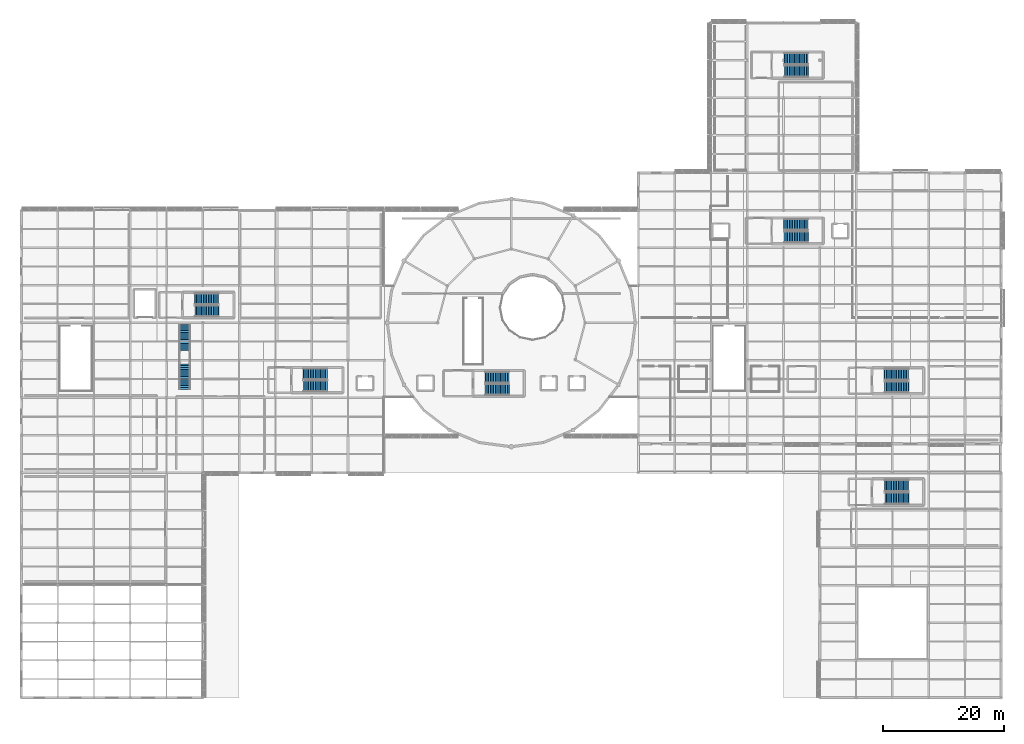
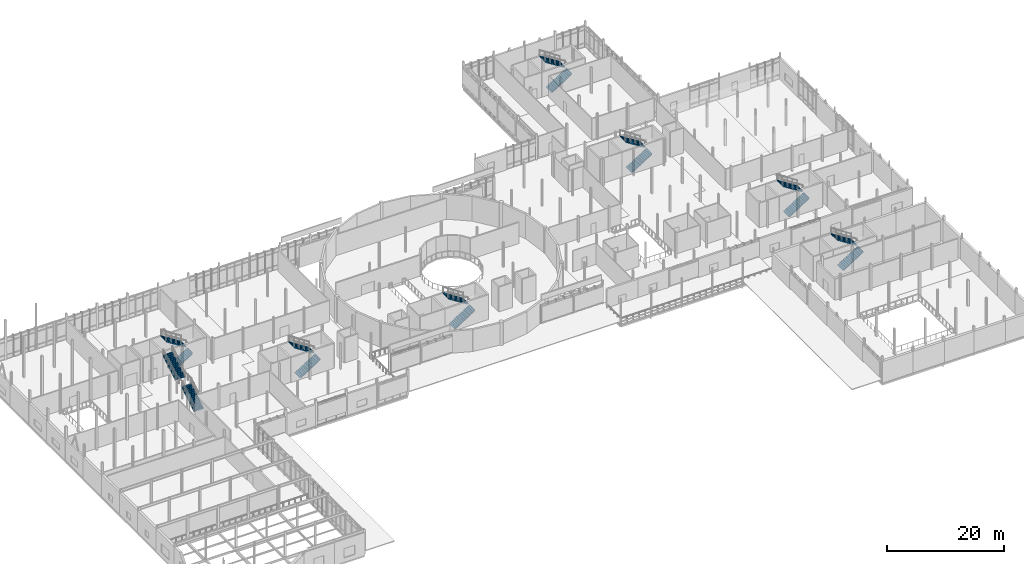
# One storey, part 73 of 105: 16 stair flights, 8 elements without a shape of their own.
"""IFC4 building model written with IfcOpenShell, lengths in metres."""

from ifc_helpers import new_model, si_unit, direction, frame, origin, place, context, subcontext, project, spatial, polyline, outline, extrude, material, type_object, element, aggregate, save


model = new_model("IFC4")

# Units and contexts
model_context = context("Model", 3, precision=1e-05, world=origin(), true_north=direction((0.0, 1.0)))
body_context = subcontext(model_context, "Body", "Model", "MODEL_VIEW")
ifc_project = project(units=[si_unit("LENGTHUNIT", "METRE"), si_unit("AREAUNIT", "SQUARE_METRE"), si_unit("VOLUMEUNIT", "CUBIC_METRE"), si_unit("PLANEANGLEUNIT", "RADIAN"), si_unit("MASSUNIT", "GRAM", prefix="KILO")], contexts=[model_context])

# Site, building, storey
site_placement = place(None, origin())
site = spatial("IfcSite", under=ifc_project, at=site_placement, CompositionType="ELEMENT")
building_placement = place(site_placement, origin())
building = spatial("IfcBuilding", under=site, at=building_placement, Name="Mirzam Square Science Centre", CompositionType="ELEMENT")
storey_placement = place(building_placement, frame((0.0, 0.0, 5.39990234375)))
storey = spatial("IfcBuildingStorey", under=building, at=storey_placement, Name="L01", CompositionType="ELEMENT", Elevation=5.39990234375)

# Stair, stair flights
ifc_material_1 = material(Name="Concrete C40/50", Category="concrete")
stair_type_1 = type_object("IfcStairType", Name="ST-CORE-1-540", PredefinedType="HALF_TURN_STAIR", material=ifc_material_1)
stair_1_placement = place(storey_placement, origin())
stair_1 = element("IfcStair", 1, at=stair_1_placement, inside=storey, type_object=stair_type_1, Name="L01 ST-01", PredefinedType="HALF_TURN_STAIR")
stair_flight_type_1 = type_object("IfcStairFlightType", Name="STF-CORE-1-30R", PredefinedType="STRAIGHT", material=ifc_material_1)
stair_flight_1_placement = place(storey_placement, frame((46.64990234375, 51.52490234375, 0.0), z_axis=(0.0, 0.0, 1.0), x_axis=(1.0, 0.0, 0.0)))
stair_flight_1 = element("IfcStairFlight", 2, at=stair_flight_1_placement, type_object=stair_flight_type_1, Name="ST-01 flight 1", NumberOfRisers=15, NumberOfTreads=14, PredefinedType="STRAIGHT", RiserHeight=0.18, TreadLength=0.28, context=body_context, shape_type="SweptSolid", body=[
    extrude(outline(polyline([(0.0, 0.0), (0.0, 0.179931640625), (0.280029296875, 0.179931640625), (0.280029296875, 0.360107421875), (0.56005859375, 0.360107421875), (0.56005859375, 0.5400390625), (0.840087890625, 0.5400390625), (0.840087890625, 0.719970703125), (1.1201171875, 0.719970703125), (1.1201171875, 0.89990234375), (1.39990234375, 0.89990234375), (1.39990234375, 1.080078125), (1.679931640625, 1.080078125), (1.679931640625, 1.260009765625), (1.9599609375, 1.260009765625), (1.9599609375, 1.43994140625), (2.239990234375, 1.43994140625), (2.239990234375, 1.6201171875), (2.52001953125, 1.6201171875), (2.52001953125, 1.800048828125), (2.800048828125, 1.800048828125), (2.800048828125, 1.97998046875), (3.080078125, 1.97998046875), (3.080078125, 2.159912109375), (3.360107421875, 2.159912109375), (3.360107421875, 2.340087890625), (3.639892578125, 2.340087890625), (3.639892578125, 2.52001953125), (3.919921875, 2.52001953125), (3.919921875, 2.699951171875), (4.0, 2.699951171875), (4.0, 2.550048828125), (3.919921875, 2.341796875), (0.277099609375, 0.0), (0.0, 0.0)])), frame((0.0, 0.925048828125, 0.0), z_axis=(0.0, -1.0, 0.0), x_axis=(1.0, 0.0, 0.0)), (0.0, 0.0, 1.0), 1.85009765625),
])
stair_flight_2_placement = place(storey_placement, frame((50.570068359375, 53.52490234375, 2.7001953125), z_axis=(0.0, 0.0, 1.0), x_axis=(-1.0, 0.0, 0.0)))
stair_flight_2 = element("IfcStairFlight", 3, at=stair_flight_2_placement, type_object=stair_flight_type_1, Name="ST-01 flight 2", NumberOfRisers=15, NumberOfTreads=14, PredefinedType="STRAIGHT", RiserHeight=0.18, TreadLength=0.28, context=body_context, shape_type="SweptSolid", body=[
    extrude(outline(polyline([(0.0, 0.0), (0.0, 0.179931640625), (0.280029296875, 0.179931640625), (0.280029296875, 0.360107421875), (0.56005859375, 0.360107421875), (0.56005859375, 0.5400390625), (0.840087890625, 0.5400390625), (0.840087890625, 0.719970703125), (1.1201171875, 0.719970703125), (1.1201171875, 0.89990234375), (1.39990234375, 0.89990234375), (1.39990234375, 1.080078125), (1.679931640625, 1.080078125), (1.679931640625, 1.260009765625), (1.9599609375, 1.260009765625), (1.9599609375, 1.43994140625), (2.239990234375, 1.43994140625), (2.239990234375, 1.6201171875), (2.52001953125, 1.6201171875), (2.52001953125, 1.800048828125), (2.800048828125, 1.800048828125), (2.800048828125, 1.97998046875), (3.080078125, 1.97998046875), (3.080078125, 2.159912109375), (3.360107421875, 2.159912109375), (3.360107421875, 2.340087890625), (3.639892578125, 2.340087890625), (3.639892578125, 2.52001953125), (3.919921875, 2.52001953125), (3.919921875, 2.699951171875), (4.0, 2.699951171875), (4.0, 2.550048828125), (3.919921875, 2.341796875), (0.277099609375, 0.0), (0.0, 0.0)])), frame((0.0, 0.925048828125, 0.0), z_axis=(0.0, -1.0, 0.0), x_axis=(1.0, 0.0, 0.0)), (0.0, 0.0, 1.0), 1.85009765625),
])
aggregate(stair_1, [stair_flight_1, stair_flight_2])

stair_type_2 = type_object("IfcStairType", Name="ST-CORE-2-540", PredefinedType="HALF_TURN_STAIR", material=ifc_material_1)
stair_2_placement = place(storey_placement, origin())
stair_2 = element("IfcStair", 4, at=stair_2_placement, inside=storey, type_object=stair_type_2, Name="L01 ST-02", PredefinedType="HALF_TURN_STAIR")
stair_flight_type_2 = type_object("IfcStairFlightType", Name="STF-CORE-2-30R", PredefinedType="STRAIGHT", material=ifc_material_1)
stair_flight_3_placement = place(storey_placement, frame((28.669921875, 63.93505859375, 0.0), z_axis=(0.0, 0.0, 1.0), x_axis=(1.0, 0.0, 0.0)))
stair_flight_3 = element("IfcStairFlight", 5, at=stair_flight_3_placement, type_object=stair_flight_type_2, Name="ST-02 flight 1", NumberOfRisers=15, NumberOfTreads=14, PredefinedType="STRAIGHT", RiserHeight=0.18, TreadLength=0.28, context=body_context, shape_type="SweptSolid", body=[
    extrude(outline(polyline([(0.0, 0.0), (0.0, 0.179931640625), (0.280029296875, 0.179931640625), (0.280029296875, 0.360107421875), (0.56005859375, 0.360107421875), (0.56005859375, 0.5400390625), (0.840087890625, 0.5400390625), (0.840087890625, 0.719970703125), (1.1201171875, 0.719970703125), (1.1201171875, 0.89990234375), (1.39990234375, 0.89990234375), (1.39990234375, 1.080078125), (1.679931640625, 1.080078125), (1.679931640625, 1.260009765625), (1.9599609375, 1.260009765625), (1.9599609375, 1.43994140625), (2.239990234375, 1.43994140625), (2.239990234375, 1.6201171875), (2.52001953125, 1.6201171875), (2.52001953125, 1.800048828125), (2.800048828125, 1.800048828125), (2.800048828125, 1.97998046875), (3.080078125, 1.97998046875), (3.080078125, 2.159912109375), (3.360107421875, 2.159912109375), (3.360107421875, 2.340087890625), (3.639892578125, 2.340087890625), (3.639892578125, 2.52001953125), (3.919921875, 2.52001953125), (3.919921875, 2.699951171875), (4.0, 2.699951171875), (4.0, 2.550048828125), (3.919921875, 2.341796875), (0.277099609375, 0.0), (0.0, 0.0)])), frame((0.0, 0.93505859375, 0.0), z_axis=(0.0, -1.0, 0.0), x_axis=(1.0, 0.0, 0.0)), (0.0, 0.0, 1.0), 1.8701171875),
])
stair_flight_4_placement = place(storey_placement, frame((32.590087890625, 65.955078125, 2.7001953125), z_axis=(0.0, 0.0, 1.0), x_axis=(-1.0, 0.0, 0.0)))
stair_flight_4 = element("IfcStairFlight", 6, at=stair_flight_4_placement, type_object=stair_flight_type_2, Name="ST-02 flight 2", NumberOfRisers=15, NumberOfTreads=14, PredefinedType="STRAIGHT", RiserHeight=0.18, TreadLength=0.28, context=body_context, shape_type="SweptSolid", body=[
    extrude(outline(polyline([(0.0, 0.0), (0.0, 0.179931640625), (0.280029296875, 0.179931640625), (0.280029296875, 0.360107421875), (0.56005859375, 0.360107421875), (0.56005859375, 0.5400390625), (0.840087890625, 0.5400390625), (0.840087890625, 0.719970703125), (1.1201171875, 0.719970703125), (1.1201171875, 0.89990234375), (1.39990234375, 0.89990234375), (1.39990234375, 1.080078125), (1.679931640625, 1.080078125), (1.679931640625, 1.260009765625), (1.9599609375, 1.260009765625), (1.9599609375, 1.43994140625), (2.239990234375, 1.43994140625), (2.239990234375, 1.6201171875), (2.52001953125, 1.6201171875), (2.52001953125, 1.800048828125), (2.800048828125, 1.800048828125), (2.800048828125, 1.97998046875), (3.080078125, 1.97998046875), (3.080078125, 2.159912109375), (3.360107421875, 2.159912109375), (3.360107421875, 2.340087890625), (3.639892578125, 2.340087890625), (3.639892578125, 2.52001953125), (3.919921875, 2.52001953125), (3.919921875, 2.699951171875), (4.0, 2.699951171875), (4.0, 2.550048828125), (3.919921875, 2.341796875), (0.277099609375, 0.0), (0.0, 0.0)])), frame((0.0, 0.93505859375, 0.0), z_axis=(0.0, -1.0, 0.0), x_axis=(1.0, 0.0, 0.0)), (0.0, 0.0, 1.0), 1.8701171875),
])
aggregate(stair_2, [stair_flight_3, stair_flight_4])

stair_type_3 = type_object("IfcStairType", Name="ST-CORE-3-540", PredefinedType="HALF_TURN_STAIR", material=ifc_material_1)
stair_3_placement = place(storey_placement, origin())
stair_3 = element("IfcStair", 7, at=stair_3_placement, inside=storey, type_object=stair_type_3, Name="L01 ST-03", PredefinedType="HALF_TURN_STAIR")
stair_flight_type_3 = type_object("IfcStairFlightType", Name="STF-CORE-3-30R", PredefinedType="STRAIGHT", material=ifc_material_1)
stair_flight_5_placement = place(storey_placement, frame((76.68994140625, 50.945068359375, 0.0), z_axis=(0.0, 0.0, 1.0), x_axis=(1.0, 0.0, 0.0)))
stair_flight_5 = element("IfcStairFlight", 8, at=stair_flight_5_placement, type_object=stair_flight_type_3, Name="ST-03 flight 1", NumberOfRisers=15, NumberOfTreads=14, PredefinedType="STRAIGHT", RiserHeight=0.18, TreadLength=0.28, context=body_context, shape_type="SweptSolid", body=[
    extrude(outline(polyline([(0.0, 0.0), (0.0, 0.179931640625), (0.280029296875, 0.179931640625), (0.280029296875, 0.360107421875), (0.56005859375, 0.360107421875), (0.56005859375, 0.5400390625), (0.840087890625, 0.5400390625), (0.840087890625, 0.719970703125), (1.1201171875, 0.719970703125), (1.1201171875, 0.89990234375), (1.39990234375, 0.89990234375), (1.39990234375, 1.080078125), (1.679931640625, 1.080078125), (1.679931640625, 1.260009765625), (1.9599609375, 1.260009765625), (1.9599609375, 1.43994140625), (2.239990234375, 1.43994140625), (2.239990234375, 1.6201171875), (2.52001953125, 1.6201171875), (2.52001953125, 1.800048828125), (2.800048828125, 1.800048828125), (2.800048828125, 1.97998046875), (3.080078125, 1.97998046875), (3.080078125, 2.159912109375), (3.360107421875, 2.159912109375), (3.360107421875, 2.340087890625), (3.639892578125, 2.340087890625), (3.639892578125, 2.52001953125), (3.919921875, 2.52001953125), (3.919921875, 2.699951171875), (4.0, 2.699951171875), (4.0, 2.550048828125), (3.919921875, 2.341796875), (0.277099609375, 0.0), (0.0, 0.0)])), frame((0.0, 0.94482421875, 0.0), z_axis=(0.0, -1.0, 0.0), x_axis=(1.0, 0.0, 0.0)), (0.0, 0.0, 1.0), 1.889892578125),
])
stair_flight_6_placement = place(storey_placement, frame((80.610107421875, 52.985107421875, 2.7001953125), z_axis=(0.0, 0.0, 1.0), x_axis=(-1.0, 0.0, 0.0)))
stair_flight_6 = element("IfcStairFlight", 9, at=stair_flight_6_placement, type_object=stair_flight_type_3, Name="ST-03 flight 2", NumberOfRisers=15, NumberOfTreads=14, PredefinedType="STRAIGHT", RiserHeight=0.18, TreadLength=0.28, context=body_context, shape_type="SweptSolid", body=[
    extrude(outline(polyline([(0.0, 0.0), (0.0, 0.179931640625), (0.280029296875, 0.179931640625), (0.280029296875, 0.360107421875), (0.56005859375, 0.360107421875), (0.56005859375, 0.5400390625), (0.840087890625, 0.5400390625), (0.840087890625, 0.719970703125), (1.1201171875, 0.719970703125), (1.1201171875, 0.89990234375), (1.39990234375, 0.89990234375), (1.39990234375, 1.080078125), (1.679931640625, 1.080078125), (1.679931640625, 1.260009765625), (1.9599609375, 1.260009765625), (1.9599609375, 1.43994140625), (2.239990234375, 1.43994140625), (2.239990234375, 1.6201171875), (2.52001953125, 1.6201171875), (2.52001953125, 1.800048828125), (2.800048828125, 1.800048828125), (2.800048828125, 1.97998046875), (3.080078125, 1.97998046875), (3.080078125, 2.159912109375), (3.360107421875, 2.159912109375), (3.360107421875, 2.340087890625), (3.639892578125, 2.340087890625), (3.639892578125, 2.52001953125), (3.919921875, 2.52001953125), (3.919921875, 2.699951171875), (4.0, 2.699951171875), (4.0, 2.550048828125), (3.919921875, 2.341796875), (0.277099609375, 0.0), (0.0, 0.0)])), frame((0.0, 0.94482421875, 0.0), z_axis=(0.0, -1.0, 0.0), x_axis=(1.0, 0.0, 0.0)), (0.0, 0.0, 1.0), 1.889892578125),
])
aggregate(stair_3, [stair_flight_5, stair_flight_6])

stair_type_4 = type_object("IfcStairType", Name="ST-CORE-4-540", PredefinedType="HALF_TURN_STAIR", material=ifc_material_1)
stair_4_placement = place(storey_placement, origin())
stair_4 = element("IfcStair", 10, at=stair_4_placement, inside=storey, type_object=stair_type_4, Name="L01 ST-04", PredefinedType="HALF_TURN_STAIR")
stair_flight_type_4 = type_object("IfcStairFlightType", Name="STF-CORE-4-30R", PredefinedType="STRAIGHT", material=ifc_material_1)
stair_flight_7_placement = place(storey_placement, frame((126.110107421875, 76.155029296875, 0.0), z_axis=(0.0, 0.0, 1.0), x_axis=(1.0, 0.0, 0.0)))
stair_flight_7 = element("IfcStairFlight", 11, at=stair_flight_7_placement, type_object=stair_flight_type_4, Name="ST-04 flight 1", NumberOfRisers=15, NumberOfTreads=14, PredefinedType="STRAIGHT", RiserHeight=0.18, TreadLength=0.28, context=body_context, shape_type="SweptSolid", body=[
    extrude(outline(polyline([(0.0, 0.0), (0.0, 0.179931640625), (0.280029296875, 0.179931640625), (0.280029296875, 0.360107421875), (0.56005859375, 0.360107421875), (0.56005859375, 0.5400390625), (0.840087890625, 0.5400390625), (0.840087890625, 0.719970703125), (1.1201171875, 0.719970703125), (1.1201171875, 0.89990234375), (1.39990234375, 0.89990234375), (1.39990234375, 1.080078125), (1.679931640625, 1.080078125), (1.679931640625, 1.260009765625), (1.9599609375, 1.260009765625), (1.9599609375, 1.43994140625), (2.239990234375, 1.43994140625), (2.239990234375, 1.6201171875), (2.52001953125, 1.6201171875), (2.52001953125, 1.800048828125), (2.800048828125, 1.800048828125), (2.800048828125, 1.97998046875), (3.080078125, 1.97998046875), (3.080078125, 2.159912109375), (3.360107421875, 2.159912109375), (3.360107421875, 2.340087890625), (3.639892578125, 2.340087890625), (3.639892578125, 2.52001953125), (3.919921875, 2.52001953125), (3.919921875, 2.699951171875), (4.0, 2.699951171875), (4.0, 2.550048828125), (3.919921875, 2.341796875), (0.277099609375, 0.0), (0.0, 0.0)])), frame((0.0, 0.955078125, 0.0), z_axis=(0.0, -1.0, 0.0), x_axis=(1.0, 0.0, 0.0)), (0.0, 0.0, 1.0), 1.909912109375),
])
stair_flight_8_placement = place(storey_placement, frame((130.030029296875, 78.215087890625, 2.7001953125), z_axis=(0.0, 0.0, 1.0), x_axis=(-1.0, 0.0, 0.0)))
stair_flight_8 = element("IfcStairFlight", 12, at=stair_flight_8_placement, type_object=stair_flight_type_4, Name="ST-04 flight 2", NumberOfRisers=15, NumberOfTreads=14, PredefinedType="STRAIGHT", RiserHeight=0.18, TreadLength=0.28, context=body_context, shape_type="SweptSolid", body=[
    extrude(outline(polyline([(0.0, 0.0), (0.0, 0.179931640625), (0.280029296875, 0.179931640625), (0.280029296875, 0.360107421875), (0.56005859375, 0.360107421875), (0.56005859375, 0.5400390625), (0.840087890625, 0.5400390625), (0.840087890625, 0.719970703125), (1.1201171875, 0.719970703125), (1.1201171875, 0.89990234375), (1.39990234375, 0.89990234375), (1.39990234375, 1.080078125), (1.679931640625, 1.080078125), (1.679931640625, 1.260009765625), (1.9599609375, 1.260009765625), (1.9599609375, 1.43994140625), (2.239990234375, 1.43994140625), (2.239990234375, 1.6201171875), (2.52001953125, 1.6201171875), (2.52001953125, 1.800048828125), (2.800048828125, 1.800048828125), (2.800048828125, 1.97998046875), (3.080078125, 1.97998046875), (3.080078125, 2.159912109375), (3.360107421875, 2.159912109375), (3.360107421875, 2.340087890625), (3.639892578125, 2.340087890625), (3.639892578125, 2.52001953125), (3.919921875, 2.52001953125), (3.919921875, 2.699951171875), (4.0, 2.699951171875), (4.0, 2.550048828125), (3.919921875, 2.341796875), (0.277099609375, 0.0), (0.0, 0.0)])), frame((0.0, 0.955078125, 0.0), z_axis=(0.0, -1.0, 0.0), x_axis=(1.0, 0.0, 0.0)), (0.0, 0.0, 1.0), 1.909912109375),
])
aggregate(stair_4, [stair_flight_7, stair_flight_8])

stair_type_5 = type_object("IfcStairType", Name="ST-CORE-5-540", PredefinedType="HALF_TURN_STAIR", material=ifc_material_1)
stair_5_placement = place(storey_placement, origin())
stair_5 = element("IfcStair", 13, at=stair_5_placement, inside=storey, type_object=stair_type_5, Name="L01 ST-05", PredefinedType="HALF_TURN_STAIR")
stair_flight_type_5 = type_object("IfcStairFlightType", Name="STF-CORE-5-30R", PredefinedType="STRAIGHT", material=ifc_material_1)
stair_flight_9_placement = place(storey_placement, frame((142.72998046875, 51.364990234375, 0.0), z_axis=(0.0, 0.0, 1.0), x_axis=(1.0, 0.0, 0.0)))
stair_flight_9 = element("IfcStairFlight", 14, at=stair_flight_9_placement, type_object=stair_flight_type_5, Name="ST-05 flight 1", NumberOfRisers=15, NumberOfTreads=14, PredefinedType="STRAIGHT", RiserHeight=0.18, TreadLength=0.28, context=body_context, shape_type="SweptSolid", body=[
    extrude(outline(polyline([(0.0, 0.0), (0.0, 0.179931640625), (0.280029296875, 0.179931640625), (0.280029296875, 0.360107421875), (0.56005859375, 0.360107421875), (0.56005859375, 0.5400390625), (0.840087890625, 0.5400390625), (0.840087890625, 0.719970703125), (1.1201171875, 0.719970703125), (1.1201171875, 0.89990234375), (1.39990234375, 0.89990234375), (1.39990234375, 1.080078125), (1.679931640625, 1.080078125), (1.679931640625, 1.260009765625), (1.9599609375, 1.260009765625), (1.9599609375, 1.43994140625), (2.239990234375, 1.43994140625), (2.239990234375, 1.6201171875), (2.52001953125, 1.6201171875), (2.52001953125, 1.800048828125), (2.800048828125, 1.800048828125), (2.800048828125, 1.97998046875), (3.080078125, 1.97998046875), (3.080078125, 2.159912109375), (3.360107421875, 2.159912109375), (3.360107421875, 2.340087890625), (3.639892578125, 2.340087890625), (3.639892578125, 2.52001953125), (3.919921875, 2.52001953125), (3.919921875, 2.699951171875), (4.0, 2.699951171875), (4.0, 2.550048828125), (3.919921875, 2.341796875), (0.277099609375, 0.0), (0.0, 0.0)])), frame((0.0, 0.96484375, 0.0), z_axis=(0.0, -1.0, 0.0), x_axis=(1.0, 0.0, 0.0)), (0.0, 0.0, 1.0), 1.929931640625),
])
stair_flight_10_placement = place(storey_placement, frame((146.64990234375, 53.445068359375, 2.7001953125), z_axis=(0.0, 0.0, 1.0), x_axis=(-1.0, 0.0, 0.0)))
stair_flight_10 = element("IfcStairFlight", 15, at=stair_flight_10_placement, type_object=stair_flight_type_5, Name="ST-05 flight 2", NumberOfRisers=15, NumberOfTreads=14, PredefinedType="STRAIGHT", RiserHeight=0.18, TreadLength=0.28, context=body_context, shape_type="SweptSolid", body=[
    extrude(outline(polyline([(0.0, 0.0), (0.0, 0.179931640625), (0.280029296875, 0.179931640625), (0.280029296875, 0.360107421875), (0.56005859375, 0.360107421875), (0.56005859375, 0.5400390625), (0.840087890625, 0.5400390625), (0.840087890625, 0.719970703125), (1.1201171875, 0.719970703125), (1.1201171875, 0.89990234375), (1.39990234375, 0.89990234375), (1.39990234375, 1.080078125), (1.679931640625, 1.080078125), (1.679931640625, 1.260009765625), (1.9599609375, 1.260009765625), (1.9599609375, 1.43994140625), (2.239990234375, 1.43994140625), (2.239990234375, 1.6201171875), (2.52001953125, 1.6201171875), (2.52001953125, 1.800048828125), (2.800048828125, 1.800048828125), (2.800048828125, 1.97998046875), (3.080078125, 1.97998046875), (3.080078125, 2.159912109375), (3.360107421875, 2.159912109375), (3.360107421875, 2.340087890625), (3.639892578125, 2.340087890625), (3.639892578125, 2.52001953125), (3.919921875, 2.52001953125), (3.919921875, 2.699951171875), (4.0, 2.699951171875), (4.0, 2.550048828125), (3.919921875, 2.341796875), (0.277099609375, 0.0), (0.0, 0.0)])), frame((0.0, 0.96484375, 0.0), z_axis=(0.0, -1.0, 0.0), x_axis=(1.0, 0.0, 0.0)), (0.0, 0.0, 1.0), 1.929931640625),
])
aggregate(stair_5, [stair_flight_9, stair_flight_10])

stair_type_6 = type_object("IfcStairType", Name="ST-CORE-6-540", PredefinedType="HALF_TURN_STAIR", material=ifc_material_1)
stair_6_placement = place(storey_placement, origin())
stair_6 = element("IfcStair", 16, at=stair_6_placement, inside=storey, type_object=stair_type_6, Name="L01 ST-06", PredefinedType="HALF_TURN_STAIR")
stair_flight_type_6 = type_object("IfcStairFlightType", Name="STF-CORE-6-30R", PredefinedType="STRAIGHT", material=ifc_material_1)
stair_flight_11_placement = place(storey_placement, frame((142.75, 32.97509765625, 0.0), z_axis=(0.0, 0.0, 1.0), x_axis=(1.0, 0.0, 0.0)))
stair_flight_11 = element("IfcStairFlight", 17, at=stair_flight_11_placement, type_object=stair_flight_type_6, Name="ST-06 flight 1", NumberOfRisers=15, NumberOfTreads=14, PredefinedType="STRAIGHT", RiserHeight=0.18, TreadLength=0.28, context=body_context, shape_type="SweptSolid", body=[
    extrude(outline(polyline([(0.0, 0.0), (0.0, 0.179931640625), (0.280029296875, 0.179931640625), (0.280029296875, 0.360107421875), (0.56005859375, 0.360107421875), (0.56005859375, 0.5400390625), (0.840087890625, 0.5400390625), (0.840087890625, 0.719970703125), (1.1201171875, 0.719970703125), (1.1201171875, 0.89990234375), (1.39990234375, 0.89990234375), (1.39990234375, 1.080078125), (1.679931640625, 1.080078125), (1.679931640625, 1.260009765625), (1.9599609375, 1.260009765625), (1.9599609375, 1.43994140625), (2.239990234375, 1.43994140625), (2.239990234375, 1.6201171875), (2.52001953125, 1.6201171875), (2.52001953125, 1.800048828125), (2.800048828125, 1.800048828125), (2.800048828125, 1.97998046875), (3.080078125, 1.97998046875), (3.080078125, 2.159912109375), (3.360107421875, 2.159912109375), (3.360107421875, 2.340087890625), (3.639892578125, 2.340087890625), (3.639892578125, 2.52001953125), (3.919921875, 2.52001953125), (3.919921875, 2.699951171875), (4.0, 2.699951171875), (4.0, 2.550048828125), (3.919921875, 2.341796875), (0.277099609375, 0.0), (0.0, 0.0)])), frame((0.0, 0.97509765625, 0.0), z_axis=(0.0, -1.0, 0.0), x_axis=(1.0, 0.0, 0.0)), (0.0, 0.0, 1.0), 1.949951171875),
])
stair_flight_12_placement = place(storey_placement, frame((146.669921875, 35.074951171875, 2.7001953125), z_axis=(0.0, 0.0, 1.0), x_axis=(-1.0, 0.0, 0.0)))
stair_flight_12 = element("IfcStairFlight", 18, at=stair_flight_12_placement, type_object=stair_flight_type_6, Name="ST-06 flight 2", NumberOfRisers=15, NumberOfTreads=14, PredefinedType="STRAIGHT", RiserHeight=0.18, TreadLength=0.28, context=body_context, shape_type="SweptSolid", body=[
    extrude(outline(polyline([(0.0, 0.0), (0.0, 0.179931640625), (0.280029296875, 0.179931640625), (0.280029296875, 0.360107421875), (0.56005859375, 0.360107421875), (0.56005859375, 0.5400390625), (0.840087890625, 0.5400390625), (0.840087890625, 0.719970703125), (1.1201171875, 0.719970703125), (1.1201171875, 0.89990234375), (1.39990234375, 0.89990234375), (1.39990234375, 1.080078125), (1.679931640625, 1.080078125), (1.679931640625, 1.260009765625), (1.9599609375, 1.260009765625), (1.9599609375, 1.43994140625), (2.239990234375, 1.43994140625), (2.239990234375, 1.6201171875), (2.52001953125, 1.6201171875), (2.52001953125, 1.800048828125), (2.800048828125, 1.800048828125), (2.800048828125, 1.97998046875), (3.080078125, 1.97998046875), (3.080078125, 2.159912109375), (3.360107421875, 2.159912109375), (3.360107421875, 2.340087890625), (3.639892578125, 2.340087890625), (3.639892578125, 2.52001953125), (3.919921875, 2.52001953125), (3.919921875, 2.699951171875), (4.0, 2.699951171875), (4.0, 2.550048828125), (3.919921875, 2.341796875), (0.277099609375, 0.0), (0.0, 0.0)])), frame((0.0, 0.97509765625, 0.0), z_axis=(0.0, -1.0, 0.0), x_axis=(1.0, 0.0, 0.0)), (0.0, 0.0, 1.0), 1.949951171875),
])
aggregate(stair_6, [stair_flight_11, stair_flight_12])

stair_type_7 = type_object("IfcStairType", Name="ST-CORE-7-540", PredefinedType="HALF_TURN_STAIR", material=ifc_material_1)
stair_7_placement = place(storey_placement, origin())
stair_7 = element("IfcStair", 19, at=stair_7_placement, inside=storey, type_object=stair_type_7, Name="L01 ST-11", PredefinedType="HALF_TURN_STAIR")
stair_flight_type_7 = type_object("IfcStairFlightType", Name="STF-CORE-7-30R", PredefinedType="STRAIGHT", material=ifc_material_1)
stair_flight_13_placement = place(storey_placement, frame((126.1298828125, 103.56494140625, 0.0), z_axis=(0.0, 0.0, 1.0), x_axis=(1.0, 0.0, 0.0)))
stair_flight_13 = element("IfcStairFlight", 20, at=stair_flight_13_placement, type_object=stair_flight_type_7, Name="ST-11 flight 1", NumberOfRisers=15, NumberOfTreads=14, PredefinedType="STRAIGHT", RiserHeight=0.18, TreadLength=0.28, context=body_context, shape_type="SweptSolid", body=[
    extrude(outline(polyline([(0.0, 0.0), (0.0, 0.179931640625), (0.280029296875, 0.179931640625), (0.280029296875, 0.360107421875), (0.56005859375, 0.360107421875), (0.56005859375, 0.5400390625), (0.840087890625, 0.5400390625), (0.840087890625, 0.719970703125), (1.1201171875, 0.719970703125), (1.1201171875, 0.89990234375), (1.39990234375, 0.89990234375), (1.39990234375, 1.080078125), (1.679931640625, 1.080078125), (1.679931640625, 1.260009765625), (1.9599609375, 1.260009765625), (1.9599609375, 1.43994140625), (2.239990234375, 1.43994140625), (2.239990234375, 1.6201171875), (2.52001953125, 1.6201171875), (2.52001953125, 1.800048828125), (2.800048828125, 1.800048828125), (2.800048828125, 1.97998046875), (3.080078125, 1.97998046875), (3.080078125, 2.159912109375), (3.360107421875, 2.159912109375), (3.360107421875, 2.340087890625), (3.639892578125, 2.340087890625), (3.639892578125, 2.52001953125), (3.919921875, 2.52001953125), (3.919921875, 2.699951171875), (4.0, 2.699951171875), (4.0, 2.550048828125), (3.919921875, 2.341796875), (0.277099609375, 0.0), (0.0, 0.0)])), frame((0.0, 0.96484375, 0.0), z_axis=(0.0, -1.0, 0.0), x_axis=(1.0, 0.0, 0.0)), (0.0, 0.0, 1.0), 1.929931640625),
])
stair_flight_14_placement = place(storey_placement, frame((130.050048828125, 105.64501953125, 2.7001953125), z_axis=(0.0, 0.0, 1.0), x_axis=(-1.0, 0.0, 0.0)))
stair_flight_14 = element("IfcStairFlight", 21, at=stair_flight_14_placement, type_object=stair_flight_type_7, Name="ST-11 flight 2", NumberOfRisers=15, NumberOfTreads=14, PredefinedType="STRAIGHT", RiserHeight=0.18, TreadLength=0.28, context=body_context, shape_type="SweptSolid", body=[
    extrude(outline(polyline([(0.0, 0.0), (0.0, 0.179931640625), (0.280029296875, 0.179931640625), (0.280029296875, 0.360107421875), (0.56005859375, 0.360107421875), (0.56005859375, 0.5400390625), (0.840087890625, 0.5400390625), (0.840087890625, 0.719970703125), (1.1201171875, 0.719970703125), (1.1201171875, 0.89990234375), (1.39990234375, 0.89990234375), (1.39990234375, 1.080078125), (1.679931640625, 1.080078125), (1.679931640625, 1.260009765625), (1.9599609375, 1.260009765625), (1.9599609375, 1.43994140625), (2.239990234375, 1.43994140625), (2.239990234375, 1.6201171875), (2.52001953125, 1.6201171875), (2.52001953125, 1.800048828125), (2.800048828125, 1.800048828125), (2.800048828125, 1.97998046875), (3.080078125, 1.97998046875), (3.080078125, 2.159912109375), (3.360107421875, 2.159912109375), (3.360107421875, 2.340087890625), (3.639892578125, 2.340087890625), (3.639892578125, 2.52001953125), (3.919921875, 2.52001953125), (3.919921875, 2.699951171875), (4.0, 2.699951171875), (4.0, 2.550048828125), (3.919921875, 2.341796875), (0.277099609375, 0.0), (0.0, 0.0)])), frame((0.0, 0.96484375, 0.0), z_axis=(0.0, -1.0, 0.0), x_axis=(1.0, 0.0, 0.0)), (0.0, 0.0, 1.0), 1.929931640625),
])
aggregate(stair_7, [stair_flight_13, stair_flight_14])

ifc_material_2 = material(Name="Steel S355 and Honed Limestone Tread Stair", Category="masonry")
stair_type_8 = type_object("IfcStairType", Name="ST-FEAT-9", PredefinedType="STRAIGHT_RUN_STAIR", material=ifc_material_2)
stair_8_placement = place(storey_placement, origin())
stair_8 = element("IfcStair", 22, at=stair_8_placement, inside=storey, type_object=stair_type_8, Name="L01 feature gallery stair ST-09", PredefinedType="STRAIGHT_RUN_STAIR")
stair_flight_type_8 = type_object("IfcStairFlightType", Name="STF-FEAT-9", PredefinedType="STRAIGHT", material=ifc_material_2)
stair_flight_15_placement = place(storey_placement, frame((27.0, 51.0, 0.0), z_axis=(0.0, 0.0, 1.0), x_axis=(0.0, 1.0, 0.0)))
stair_flight_15 = element("IfcStairFlight", 23, at=stair_flight_15_placement, type_object=stair_flight_type_8, Name="ST-09 flight 1", NumberOfRisers=15, NumberOfTreads=14, PredefinedType="STRAIGHT", RiserHeight=0.18, TreadLength=0.3, context=body_context, shape_type="SweptSolid", body=[
    extrude(outline(polyline([(0.0, 0.0), (0.0, 0.179931640625), (0.300048828125, 0.179931640625), (0.300048828125, 0.360107421875), (0.60009765625, 0.360107421875), (0.60009765625, 0.5400390625), (0.89990234375, 0.5400390625), (0.89990234375, 0.719970703125), (1.199951171875, 0.719970703125), (1.199951171875, 0.89990234375), (1.5, 0.89990234375), (1.5, 1.080078125), (1.800048828125, 1.080078125), (1.800048828125, 1.260009765625), (2.10009765625, 1.260009765625), (2.10009765625, 1.43994140625), (2.39990234375, 1.43994140625), (2.39990234375, 1.6201171875), (2.699951171875, 1.6201171875), (2.699951171875, 1.800048828125), (3.0, 1.800048828125), (3.0, 1.97998046875), (3.300048828125, 1.97998046875), (3.300048828125, 2.159912109375), (3.60009765625, 2.159912109375), (3.60009765625, 2.340087890625), (3.89990234375, 2.340087890625), (3.89990234375, 2.52001953125), (4.199951171875, 2.52001953125), (4.199951171875, 2.699951171875), (4.280029296875, 2.699951171875), (4.280029296875, 2.5400390625), (4.199951171875, 2.33349609375), (0.310791015625, 0.0), (0.0, 0.0)])), frame((0.0, 0.949951171875, 0.0), z_axis=(0.0, -1.0, 0.0), x_axis=(1.0, 0.0, 0.0)), (0.0, 0.0, 1.0), 1.89990234375),
])
stair_flight_16_placement = place(storey_placement, frame((27.0, 57.39990234375, 2.7001953125), z_axis=(0.0, 0.0, 1.0), x_axis=(0.0, 1.0, 0.0)))
stair_flight_16 = element("IfcStairFlight", 24, at=stair_flight_16_placement, type_object=stair_flight_type_8, Name="ST-09 flight 2", NumberOfRisers=15, NumberOfTreads=14, PredefinedType="STRAIGHT", RiserHeight=0.18, TreadLength=0.3, context=body_context, shape_type="SweptSolid", body=[
    extrude(outline(polyline([(0.0, 0.0), (0.0, 0.179931640625), (0.300048828125, 0.179931640625), (0.300048828125, 0.360107421875), (0.60009765625, 0.360107421875), (0.60009765625, 0.5400390625), (0.89990234375, 0.5400390625), (0.89990234375, 0.719970703125), (1.199951171875, 0.719970703125), (1.199951171875, 0.89990234375), (1.5, 0.89990234375), (1.5, 1.080078125), (1.800048828125, 1.080078125), (1.800048828125, 1.260009765625), (2.10009765625, 1.260009765625), (2.10009765625, 1.43994140625), (2.39990234375, 1.43994140625), (2.39990234375, 1.6201171875), (2.699951171875, 1.6201171875), (2.699951171875, 1.800048828125), (3.0, 1.800048828125), (3.0, 1.97998046875), (3.300048828125, 1.97998046875), (3.300048828125, 2.159912109375), (3.60009765625, 2.159912109375), (3.60009765625, 2.340087890625), (3.89990234375, 2.340087890625), (3.89990234375, 2.52001953125), (4.199951171875, 2.52001953125), (4.199951171875, 2.699951171875), (4.280029296875, 2.699951171875), (4.280029296875, 2.5400390625), (4.199951171875, 2.33349609375), (0.310791015625, 0.0), (0.0, 0.0)])), frame((0.0, 0.949951171875, 0.0), z_axis=(0.0, -1.0, 0.0), x_axis=(1.0, 0.0, 0.0)), (0.0, 0.0, 1.0), 1.89990234375),
])
aggregate(stair_8, [stair_flight_15, stair_flight_16])

save(model, "model.ifc")
